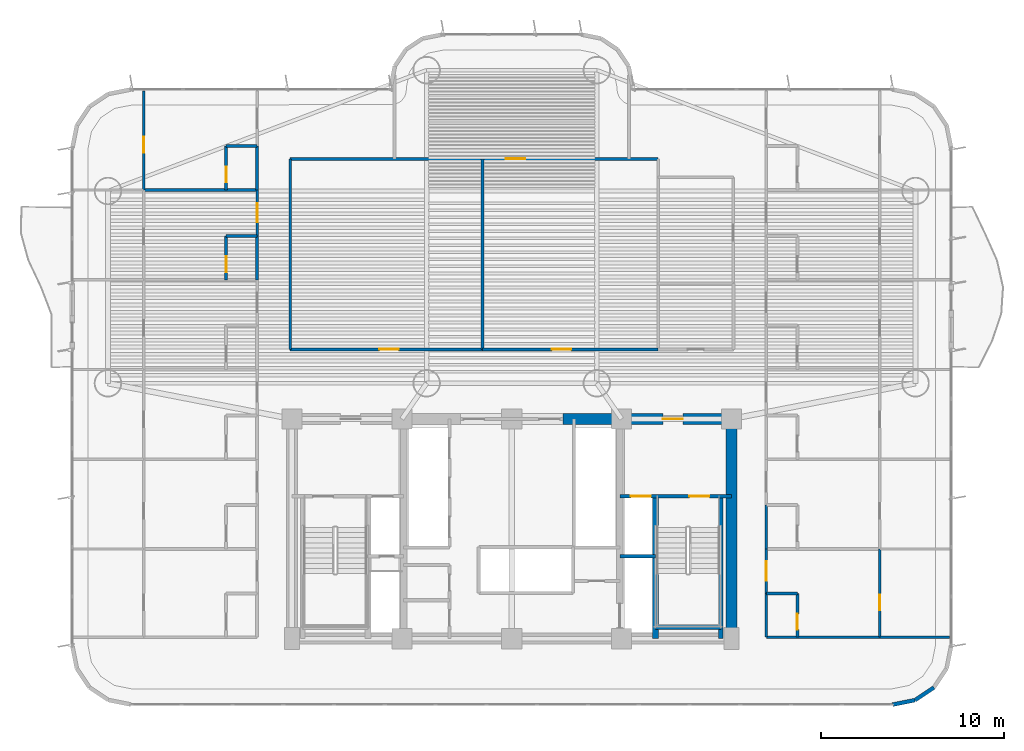
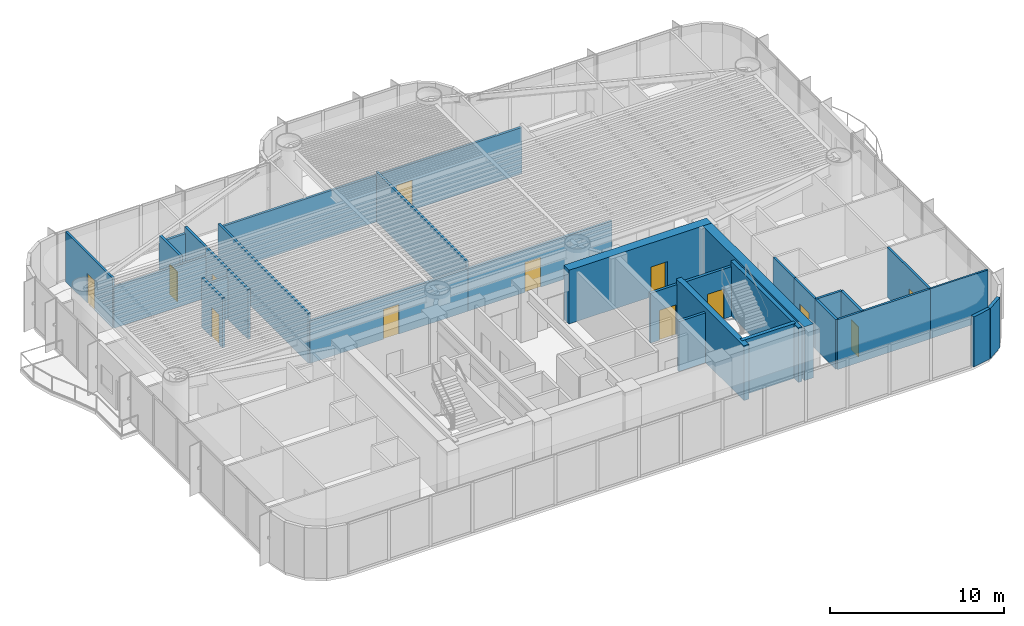
# One storey, part 12 of 19: 31 walls, 13 doors, 13 openings.
"""IFC4 building model written with IfcOpenShell, lengths in metres."""

from ifc_helpers import new_model, si_unit, direction, frame, frame_2d, origin, origin_2d, place, context, subcontext, project, spatial, rectangle, extrude, source, transform, mapped, material, layer, layer_set, type_object, element, fill, save


model = new_model("IFC4")

# Units and contexts
model_context = context("Model", 3, precision=1e-05, world=origin(), true_north=direction((0.0, 1.0)))
body_context = subcontext(model_context, "Body", "Model", "MODEL_VIEW")
ifc_project = project(units=[si_unit("LENGTHUNIT", "METRE"), si_unit("AREAUNIT", "SQUARE_METRE"), si_unit("VOLUMEUNIT", "CUBIC_METRE"), si_unit("PLANEANGLEUNIT", "RADIAN"), si_unit("MASSUNIT", "GRAM", prefix="KILO")], contexts=[model_context])

# Site, building, storey
site_placement = place(None, origin())
site = spatial("IfcSite", under=ifc_project, at=site_placement, CompositionType="ELEMENT")
building_placement = place(site_placement, origin())
building = spatial("IfcBuilding", under=site, at=building_placement, Name="Brelvock Crest Care Tower", CompositionType="ELEMENT")
storey_placement = place(building_placement, frame((0.0, 0.0, 64.800048828125)))
storey = spatial("IfcBuildingStorey", under=building, at=storey_placement, Name="L16", CompositionType="ELEMENT", Elevation=64.800048828125)

# Wall
ifc_material_1 = material(Name="Concrete S80 (80 MPa)", Category="concrete")
ifc_layer_1 = layer(ifc_material_1, 0.60009765625, Name="WL-CS1")
ifc_layer_set_1 = layer_set([ifc_layer_1], Name="Concrete S80 (80 MPa)")
wall_type_1 = type_object("IfcWallType", Name="WL-CS1", PredefinedType="SHEAR", material=ifc_layer_set_1)
wall_1_placement = place(storey_placement, frame((48.0, 18.0, 0.0), z_axis=(0.0, 0.0, 1.0), x_axis=(0.0, -1.0, 0.0)))
element("IfcWall", 1, at=wall_1_placement, inside=storey, type_object=wall_type_1, Name="L16 Core East Shear Wall", PredefinedType="SHEAR", context=body_context, shape_type="SweptSolid", body=[
    extrude(rectangle(XDim=12.0, YDim=0.60009765625, at=frame_2d((6.0, 0.0))), origin(), (0.0, 0.0, 1.0), 3.780029296875),
])

# Wall, opening, door
wall_2_placement = place(storey_placement, frame((38.800048828125, 18.0, 0.0), z_axis=(0.0, 0.0, 1.0), x_axis=(1.0, 0.0, 0.0)))
wall_2 = element("IfcWall", 2, at=wall_2_placement, inside=storey, type_object=wall_type_1, Name="L16 Core North-East Shear Wall", PredefinedType="SHEAR", context=body_context, shape_type="SweptSolid", body=[
    extrude(rectangle(XDim=9.5, YDim=0.60009765625, at=frame_2d((4.75, 0.0))), origin(), (0.0, 0.0, 1.0), 3.780029296875),
])
opening_1_placement = place(wall_2_placement, frame((5.449951171875, 0.0, 0.0)))
opening_1 = element("IfcOpeningElement", 3, at=opening_1_placement, cuts=wall_2, Name="Opening FD-1", PredefinedType="OPENING", context=body_context, shape_type="SweptSolid", body=[
    extrude(rectangle(XDim=1.10009765625, YDim=2.10009765625, at=origin_2d()), frame((0.550048828125, 0.31005859375, 1.050048828125), z_axis=(0.0, -1.0, 0.0), x_axis=(1.0, 0.0, 0.0)), (0.0, 0.0, 1.0), 0.6201171875),
])
ifc_material_2 = material(Name="Steel Grade 350", Category="steel")
door_type_1 = type_object("IfcDoorType", Name="DR-FFL1", OperationType="NOTDEFINED", PredefinedType="DOOR", material=ifc_material_2)
shared_shape_1 = source(origin(), body_context, "Body", "SweptSolid", [
    extrude(rectangle(XDim=1.10009765625, YDim=2.10009765625, at=origin_2d()), frame((0.550048828125, 0.02490234375, 1.050048828125), z_axis=(0.0, -1.0, 0.0), x_axis=(1.0, 0.0, 0.0)), (0.0, 0.0, 1.0), 0.050048828125),
])
door_1_placement = place(opening_1_placement, origin())
door_1 = element("IfcDoor", 4, at=door_1_placement, inside=storey, type_object=door_type_1, Name="L16 Firefighting Lobby FFL-2 Exit Door", OperationType="SINGLE_SWING_RIGHT", OverallHeight=2.10009765625, OverallWidth=1.10009765625, PredefinedType="DOOR", context=body_context, shape_type="MappedRepresentation", body=[
    mapped(shared_shape_1, transform((0.0, 0.0, 0.0), x_axis=(1.0, 0.0, 0.0), y_axis=(0.0, 1.0, 0.0), z_axis=(0.0, 0.0, 1.0), scale=1.0)),
])
fill(opening_1, door_1)

# Walls
ifc_layer_2 = layer(ifc_material_1, 0.35009765625, Name="WL-CS5")
ifc_layer_set_2 = layer_set([ifc_layer_2], Name="Concrete S80 (80 MPa)")
wall_type_2 = type_object("IfcWallType", Name="WL-CS5", PredefinedType="SHEAR", material=ifc_layer_set_2)
wall_3_placement = place(storey_placement, frame((43.85009765625, 6.0, 0.0), z_axis=(0.0, 0.0, 1.0), x_axis=(0.0, 1.0, 0.0)))
element("IfcWall", 5, at=wall_3_placement, inside=storey, type_object=wall_type_2, Name="L16 Core Stair ST-2 West Shear Wall", PredefinedType="SHEAR", context=body_context, shape_type="SweptSolid", body=[
    extrude(rectangle(XDim=7.780029296875, YDim=0.35009765625, at=frame_2d((3.89013671875, 0.0))), origin(), (0.0, 0.0, 1.0), 3.849853515625),
])
ifc_layer_3 = layer(ifc_material_1, 0.25, Name="WL-CS6")
ifc_layer_set_3 = layer_set([ifc_layer_3], Name="Concrete S80 (80 MPa)")
wall_type_3 = type_object("IfcWallType", Name="WL-CS6", PredefinedType="SHEAR", material=ifc_layer_set_3)
wall_4_placement = place(storey_placement, frame((47.419921875, 6.0, 0.0), z_axis=(0.0, 0.0, 1.0), x_axis=(0.0, 1.0, 0.0)))
element("IfcWall", 6, at=wall_4_placement, inside=storey, type_object=wall_type_3, Name="L16 Core Stair ST-2 East Shear Wall", PredefinedType="SHEAR", context=body_context, shape_type="SweptSolid", body=[
    extrude(rectangle(XDim=7.780029296875, YDim=0.25, at=frame_2d((3.89013671875, 0.0))), origin(), (0.0, 0.0, 1.0), 3.849853515625),
])
wall_5_placement = place(storey_placement, frame((43.85009765625, 6.6201171875, 0.0), z_axis=(0.0, 0.0, 1.0), x_axis=(1.0, 0.0, 0.0)))
element("IfcWall", 7, at=wall_5_placement, inside=storey, type_object=wall_type_3, Name="L16 Core Stair ST-2 South Shear Wall", PredefinedType="SHEAR", context=body_context, shape_type="SweptSolid", body=[
    extrude(rectangle(XDim=3.56982421875, YDim=0.25, at=frame_2d((1.784912109375, 0.0))), origin(), (0.0, 0.0, 1.0), 3.849853515625),
])
ifc_material_3 = material(Name="Precast concrete N40 (40 MPa)", Category="concrete")
ifc_layer_4 = layer(ifc_material_3, 0.215087890625, Name="WL-EX2")
ifc_layer_set_4 = layer_set([ifc_layer_4], Name="Precast concrete N40 (40 MPa)")
wall_type_4 = type_object("IfcWallType", Name="WL-EX2", PredefinedType="SOLIDWALL", material=ifc_layer_set_4)
for number, where, z_axis, x_axis, name in (
    (8, (59.062744140625, 3.33740234375, 0.0), (0.0, 0.0, 1.0), (-0.831387912822, -0.555692485475, 0.0), "L16 Rounded Corner Wall 06"),
    (9, (58.024658203125, 2.6435546875, 0.0), (0.0, 0.0, 1.0), (-0.980775717779, -0.195138390419, 0.0), "L16 Rounded Corner Wall 07"),
):
    element("IfcWall", number, at=place(storey_placement, frame(where, z_axis=z_axis, x_axis=x_axis)), inside=storey, type_object=wall_type_4, Name=name, PredefinedType="SOLIDWALL", context=body_context, shape_type="SweptSolid", body=[
        extrude(rectangle(XDim=1.24853515625, YDim=0.215087890625, at=frame_2d((0.624267578125, 0.0))), origin(), (0.0, 0.0, 1.0), 3.530029296875),
    ])
ifc_material_4 = material(Name="Masonry Blockwork Acoustic Partition", Category="masonry")
ifc_layer_5 = layer(ifc_material_4, 0.14990234375, Name="WL-INT1")
ifc_layer_set_5 = layer_set([ifc_layer_5], Name="Masonry Blockwork Acoustic Partition")
wall_type_5 = type_object("IfcWallType", Name="WL-INT1", PredefinedType="PARTITIONING", material=ifc_layer_set_5)
wall_6_placement = place(storey_placement, frame((49.89990234375, 6.080078125, 0.0), z_axis=(0.0, 0.0, 1.0), x_axis=(1.0, 0.0, 0.0)))
element("IfcWall", 10, at=wall_6_placement, inside=storey, type_object=wall_type_5, Name="L16 Interior Wall WL-BX-L16-CS-EC1-S", PredefinedType="PARTITIONING", context=body_context, shape_type="SweptSolid", body=[
    extrude(rectangle(XDim=6.2001953125, YDim=0.14990234375, at=frame_2d((3.10009765625, 0.0))), origin(), (0.0, 0.0, 1.0), 3.5),
])

# Wall, opening, door
wall_7_placement = place(storey_placement, frame((23.89990234375, 21.800048828125, 0.0), z_axis=(0.0, 0.0, 1.0), x_axis=(1.0, 0.0, 0.0)))
wall_7 = element("IfcWall", 11, at=wall_7_placement, inside=storey, type_object=wall_type_5, Name="L16 Interior Wall WL-RM-L16-CNW", PredefinedType="PARTITIONING", context=body_context, shape_type="SweptSolid", body=[
    extrude(rectangle(XDim=10.5, YDim=0.14990234375, at=frame_2d((5.25, 0.0))), origin(), (0.0, 0.0, 1.0), 2.98193359375),
])
opening_2_placement = place(wall_7_placement, frame((4.875, 0.0, 0.0)))
opening_2 = element("IfcOpeningElement", 12, at=opening_2_placement, cuts=wall_7, Name="Opening CLD-1", PredefinedType="OPENING", context=body_context, shape_type="SweptSolid", body=[
    extrude(rectangle(XDim=1.050048828125, YDim=2.10009765625, at=origin_2d()), frame((0.52490234375, 0.0849609375, 1.050048828125), z_axis=(0.0, -1.0, 0.0), x_axis=(1.0, 0.0, 0.0)), (0.0, 0.0, 1.0), 0.169921875),
])
ifc_material_5 = material(Name="Engineered Hardwood Timber", Category="wood")
door_type_2 = type_object("IfcDoorType", Name="DR-CLN1", OperationType="NOTDEFINED", PredefinedType="DOOR", material=ifc_material_5)
shared_shape_2 = source(origin(), body_context, "Body", "SweptSolid", [
    extrude(rectangle(XDim=1.050048828125, YDim=2.10009765625, at=origin_2d()), frame((0.52490234375, 0.02490234375, 1.050048828125), z_axis=(0.0, -1.0, 0.0), x_axis=(1.0, 0.0, 0.0)), (0.0, 0.0, 1.0), 0.050048828125),
])
door_2_placement = place(opening_2_placement, origin())
door_2 = element("IfcDoor", 13, at=door_2_placement, inside=storey, type_object=door_type_2, Name="L16 Communal Dining Conservatory Door CNW", OperationType="SINGLE_SWING_LEFT", OverallHeight=2.10009765625, OverallWidth=1.050048828125, PredefinedType="DOOR", context=body_context, shape_type="MappedRepresentation", body=[
    mapped(shared_shape_2, transform((0.0, 0.0, 0.0), x_axis=(1.0, 0.0, 0.0), y_axis=(0.0, 1.0, 0.0), z_axis=(0.0, 0.0, 1.0), scale=1.0)),
])
fill(opening_2, door_2)

wall_8_placement = place(storey_placement, frame((34.39990234375, 21.800048828125, 0.0), z_axis=(0.0, 0.0, 1.0), x_axis=(1.0, 0.0, 0.0)))
wall_8 = element("IfcWall", 14, at=wall_8_placement, inside=storey, type_object=wall_type_5, Name="L16 Interior Wall WL-RM-L16-CNE", PredefinedType="PARTITIONING", context=body_context, shape_type="SweptSolid", body=[
    extrude(rectangle(XDim=9.60009765625, YDim=0.14990234375, at=frame_2d((4.800048828125, 0.0))), origin(), (0.0, 0.0, 1.0), 2.98193359375),
])
opening_3_placement = place(wall_8_placement, frame((3.794921875, 0.0, 0.0)))
opening_3 = element("IfcOpeningElement", 15, at=opening_3_placement, cuts=wall_8, Name="Opening CLD-1", PredefinedType="OPENING", context=body_context, shape_type="SweptSolid", body=[
    extrude(rectangle(XDim=1.050048828125, YDim=2.10009765625, at=origin_2d()), frame((0.52490234375, 0.0849609375, 1.050048828125), z_axis=(0.0, -1.0, 0.0), x_axis=(1.0, 0.0, 0.0)), (0.0, 0.0, 1.0), 0.169921875),
])
door_3_placement = place(opening_3_placement, origin())
door_3 = element("IfcDoor", 16, at=door_3_placement, inside=storey, type_object=door_type_2, Name="L16 Geriatric Nurse Consultation Hub Door CNE", OperationType="SINGLE_SWING_LEFT", OverallHeight=2.10009765625, OverallWidth=1.050048828125, PredefinedType="DOOR", context=body_context, shape_type="MappedRepresentation", body=[
    mapped(shared_shape_2, transform((0.0, 0.0, 0.0), x_axis=(1.0, 0.0, 0.0), y_axis=(0.0, 1.0, 0.0), z_axis=(0.0, 0.0, 1.0), scale=1.0)),
])
fill(opening_3, door_3)

# Wall
wall_9_placement = place(storey_placement, frame((15.89990234375, 30.5, 0.0), z_axis=(0.0, 0.0, 1.0), x_axis=(1.0, 0.0, 0.0)))
element("IfcWall", 17, at=wall_9_placement, inside=storey, type_object=wall_type_5, Name="L16 Interior Wall WL-BX-L16-CS-WC5-N", PredefinedType="PARTITIONING", context=body_context, shape_type="SweptSolid", body=[
    extrude(rectangle(XDim=6.2001953125, YDim=0.14990234375, at=frame_2d((3.10009765625, 0.0))), origin(), (0.0, 0.0, 1.0), 2.90283203125),
])

# Wall, opening, door
wall_10_placement = place(storey_placement, frame((23.89990234375, 32.199951171875, 0.0), z_axis=(0.0, 0.0, 1.0), x_axis=(1.0, 0.0, 0.0)))
wall_10 = element("IfcWall", 18, at=wall_10_placement, inside=storey, type_object=wall_type_5, Name="L16 Interior Wall WL-RM-L16-NHUB", PredefinedType="PARTITIONING", context=body_context, shape_type="SweptSolid", body=[
    extrude(rectangle(XDim=20.10009765625, YDim=0.14990234375, at=frame_2d((10.050048828125, 0.0))), origin(), (0.0, 0.0, 1.0), 3.259033203125),
])
opening_4_placement = place(wall_10_placement, frame((11.77490234375, 0.0, 0.0)))
opening_4 = element("IfcOpeningElement", 19, at=opening_4_placement, cuts=wall_10, Name="Opening CLD-1", PredefinedType="OPENING", context=body_context, shape_type="SweptSolid", body=[
    extrude(rectangle(XDim=1.050048828125, YDim=2.10009765625, at=origin_2d()), frame((0.52490234375, 0.0849609375, 1.050048828125), z_axis=(0.0, -1.0, 0.0), x_axis=(1.0, 0.0, 0.0)), (0.0, 0.0, 1.0), 0.169921875),
])
door_4_placement = place(opening_4_placement, origin())
door_4 = element("IfcDoor", 20, at=door_4_placement, inside=storey, type_object=door_type_2, Name="L16 Harbour Wintergarden Lounge Door NHUB", OperationType="SINGLE_SWING_LEFT", OverallHeight=2.10009765625, OverallWidth=1.050048828125, PredefinedType="DOOR", context=body_context, shape_type="MappedRepresentation", body=[
    mapped(shared_shape_2, transform((0.0, 0.0, 0.0), x_axis=(1.0, 0.0, 0.0), y_axis=(0.0, 1.0, 0.0), z_axis=(0.0, 0.0, 1.0), scale=1.0)),
])
fill(opening_4, door_4)

wall_11_placement = place(storey_placement, frame((15.89990234375, 30.5, 0.0), z_axis=(0.0, 0.0, 1.0), x_axis=(0.0, 1.0, 0.0)))
wall_11 = element("IfcWall", 21, at=wall_11_placement, inside=storey, type_object=wall_type_5, Name="L16 Interior Wall WL-RM-L16-WC6S", PredefinedType="PARTITIONING", context=body_context, shape_type="SweptSolid", body=[
    extrude(rectangle(XDim=5.420166015625, YDim=0.14990234375, at=frame_2d((2.7099609375, 0.0))), origin(), (0.0, 0.0, 1.0), 3.5),
])
opening_5_placement = place(wall_11_placement, frame((2.0400390625, 0.0, 0.0)))
opening_5 = element("IfcOpeningElement", 22, at=opening_5_placement, cuts=wall_11, Name="Opening ID-1", PredefinedType="OPENING", context=body_context, shape_type="SweptSolid", body=[
    extrude(rectangle(XDim=0.860107421875, YDim=2.10009765625, at=origin_2d()), frame((0.43017578125, 0.0849609375, 1.050048828125), z_axis=(0.0, -1.0, 0.0), x_axis=(1.0, 0.0, 0.0)), (0.0, 0.0, 1.0), 0.169921875),
])
door_type_3 = type_object("IfcDoorType", Name="DR-INT1", OperationType="NOTDEFINED", PredefinedType="DOOR", material=ifc_material_5)
shared_shape_3 = source(origin(), body_context, "Body", "SweptSolid", [
    extrude(rectangle(XDim=0.860107421875, YDim=2.10009765625, at=origin_2d()), frame((0.43017578125, 0.02490234375, 1.050048828125), z_axis=(0.0, -1.0, 0.0), x_axis=(1.0, 0.0, 0.0)), (0.0, 0.0, 1.0), 0.050048828125),
])
door_5_placement = place(opening_5_placement, origin())
door_5 = element("IfcDoor", 23, at=door_5_placement, inside=storey, type_object=door_type_3, Name="L16 Skilled Nursing Mobility Store Door WC6S", OperationType="SINGLE_SWING_LEFT", OverallHeight=2.10009765625, OverallWidth=0.860107421875, PredefinedType="DOOR", context=body_context, shape_type="MappedRepresentation", body=[
    mapped(shared_shape_3, transform((0.0, 0.0, 0.0), x_axis=(1.0, 0.0, 0.0), y_axis=(0.0, 1.0, 0.0), z_axis=(0.0, 0.0, 1.0), scale=1.0)),
])
fill(opening_5, door_5)

wall_12_placement = place(storey_placement, frame((22.10009765625, 28.0, 0.0), z_axis=(0.0, 0.0, 1.0), x_axis=(0.0, 1.0, 0.0)))
wall_12 = element("IfcWall", 24, at=wall_12_placement, inside=storey, type_object=wall_type_5, Name="L16 Interior Wall WL-CENT-L16-WC5", PredefinedType="PARTITIONING", context=body_context, shape_type="SweptSolid", body=[
    extrude(rectangle(XDim=2.5, YDim=0.14990234375, at=frame_2d((1.25, 0.0))), origin(), (0.0, 0.0, 1.0), 3.5),
])
opening_6_placement = place(wall_12_placement, frame((0.72998046875, 0.0, 0.0)))
opening_6 = element("IfcOpeningElement", 25, at=opening_6_placement, cuts=wall_12, Name="Opening CD-1", PredefinedType="OPENING", context=body_context, shape_type="SweptSolid", body=[
    extrude(rectangle(XDim=1.050048828125, YDim=2.10009765625, at=origin_2d()), frame((0.52490234375, 0.0849609375, 1.050048828125), z_axis=(0.0, -1.0, 0.0), x_axis=(1.0, 0.0, 0.0)), (0.0, 0.0, 1.0), 0.169921875),
])
door_type_4 = type_object("IfcDoorType", Name="DR-CARE1", OperationType="NOTDEFINED", PredefinedType="DOOR", material=ifc_material_5)
shared_shape_4 = source(origin(), body_context, "Body", "SweptSolid", [
    extrude(rectangle(XDim=1.050048828125, YDim=2.10009765625, at=origin_2d()), frame((0.52490234375, 0.02490234375, 1.050048828125), z_axis=(0.0, -1.0, 0.0), x_axis=(1.0, 0.0, 0.0)), (0.0, 0.0, 1.0), 0.050048828125),
])
door_6_placement = place(opening_6_placement, origin())
door_6 = element("IfcDoor", 26, at=door_6_placement, inside=storey, type_object=door_type_4, Name="L16 Care Suite Door WC5", OperationType="SINGLE_SWING_LEFT", OverallHeight=2.10009765625, OverallWidth=1.050048828125, PredefinedType="DOOR", context=body_context, shape_type="MappedRepresentation", body=[
    mapped(shared_shape_4, transform((0.0, 0.0, 0.0), x_axis=(1.0, 0.0, 0.0), y_axis=(0.0, 1.0, 0.0), z_axis=(0.0, 0.0, 1.0), scale=1.0)),
])
fill(opening_6, door_6)

# Walls
for number, where, z_axis, x_axis, name in (
    (27, (23.89990234375, 21.800048828125, 0.0), (0.0, 0.0, 1.0), (0.0, 1.0, 0.0), "L16 Interior Wall WL-BX-L16-CNW-W"),
    (28, (34.39990234375, 21.800048828125, 0.0), (0.0, 0.0, 1.0), (0.0, 1.0, 0.0), "L16 Interior Wall WL-BX-L16-CNE-W"),
):
    element("IfcWall", number, at=place(storey_placement, frame(where, z_axis=z_axis, x_axis=x_axis)), inside=storey, type_object=wall_type_5, Name=name, PredefinedType="PARTITIONING", context=body_context, shape_type="SweptSolid", body=[
        extrude(rectangle(XDim=10.39990234375, YDim=0.14990234375, at=frame_2d((5.199951171875, 0.0))), origin(), (0.0, 0.0, 1.0), 3.5),
    ])

# Wall, opening, door
wall_13_placement = place(storey_placement, frame((49.89990234375, 8.47998046875, 0.0), z_axis=(0.0, 0.0, 1.0), x_axis=(0.0, 1.0, 0.0)))
wall_13 = element("IfcWall", 29, at=wall_13_placement, inside=storey, type_object=wall_type_5, Name="L16 Interior Wall WL-CENT-L16-EC1", PredefinedType="PARTITIONING", context=body_context, shape_type="SweptSolid", body=[
    extrude(rectangle(XDim=2.419921875, YDim=0.14990234375, at=frame_2d((1.2099609375, 0.0))), origin(), (0.0, 0.0, 1.0), 3.5),
])
opening_7_placement = place(wall_13_placement, frame((0.68994140625, 0.0, 0.0)))
opening_7 = element("IfcOpeningElement", 30, at=opening_7_placement, cuts=wall_13, Name="Opening CD-1", PredefinedType="OPENING", context=body_context, shape_type="SweptSolid", body=[
    extrude(rectangle(XDim=1.050048828125, YDim=2.10009765625, at=origin_2d()), frame((0.52490234375, 0.0849609375, 1.050048828125), z_axis=(0.0, -1.0, 0.0), x_axis=(1.0, 0.0, 0.0)), (0.0, 0.0, 1.0), 0.169921875),
])
door_7_placement = place(opening_7_placement, origin())
door_7 = element("IfcDoor", 31, at=door_7_placement, inside=storey, type_object=door_type_4, Name="L16 Care Suite Door EC1", OperationType="SINGLE_SWING_LEFT", OverallHeight=2.10009765625, OverallWidth=1.050048828125, PredefinedType="DOOR", context=body_context, shape_type="MappedRepresentation", body=[
    mapped(shared_shape_4, transform((0.0, 0.0, 0.0), x_axis=(1.0, 0.0, 0.0), y_axis=(0.0, 1.0, 0.0), z_axis=(0.0, 0.0, 1.0), scale=1.0)),
])
fill(opening_7, door_7)

wall_14_placement = place(storey_placement, frame((56.10009765625, 6.080078125, 0.0), z_axis=(0.0, 0.0, 1.0), x_axis=(0.0, 1.0, 0.0)))
wall_14 = element("IfcWall", 32, at=wall_14_placement, inside=storey, type_object=wall_type_5, Name="L16 Interior Wall WL-RM-L16-EC1S", PredefinedType="PARTITIONING", context=body_context, shape_type="SweptSolid", body=[
    extrude(rectangle(XDim=4.81982421875, YDim=0.14990234375, at=frame_2d((2.409912109375, 0.0))), origin(), (0.0, 0.0, 1.0), 3.5),
])
opening_8_placement = place(wall_14_placement, frame((1.4599609375, 0.0, 0.0)))
opening_8 = element("IfcOpeningElement", 33, at=opening_8_placement, cuts=wall_14, Name="Opening ID-1", PredefinedType="OPENING", context=body_context, shape_type="SweptSolid", body=[
    extrude(rectangle(XDim=0.860107421875, YDim=2.10009765625, at=origin_2d()), frame((0.43017578125, 0.0849609375, 1.050048828125), z_axis=(0.0, -1.0, 0.0), x_axis=(1.0, 0.0, 0.0)), (0.0, 0.0, 1.0), 0.169921875),
])
door_8_placement = place(opening_8_placement, origin())
door_8 = element("IfcDoor", 34, at=door_8_placement, inside=storey, type_object=door_type_3, Name="L16 Skilled Nursing Mobility Store Door EC1S", OperationType="SINGLE_SWING_LEFT", OverallHeight=2.10009765625, OverallWidth=0.860107421875, PredefinedType="DOOR", context=body_context, shape_type="MappedRepresentation", body=[
    mapped(shared_shape_3, transform((0.0, 0.0, 0.0), x_axis=(1.0, 0.0, 0.0), y_axis=(0.0, 1.0, 0.0), z_axis=(0.0, 0.0, 1.0), scale=1.0)),
])
fill(opening_8, door_8)

# Walls
ifc_material_6 = material(Name="Gypsum Plasterboard Partition", Category="gypsum")
ifc_layer_6 = layer(ifc_material_6, 0.1201171875, Name="WL-INT2")
ifc_layer_set_6 = layer_set([ifc_layer_6], Name="Gypsum Plasterboard Partition")
wall_type_6 = type_object("IfcWallType", Name="WL-INT2", PredefinedType="PARTITIONING", material=ifc_layer_set_6)
wall_15_placement = place(storey_placement, frame((56.10009765625, 6.080078125, 0.0), z_axis=(0.0, 0.0, 1.0), x_axis=(1.0, 0.0, 0.0)))
element("IfcWall", 35, at=wall_15_placement, inside=storey, type_object=wall_type_6, Name="L16 Interior Wall WL-BX-L16-EC1S-S", PredefinedType="PARTITIONING", context=body_context, shape_type="SweptSolid", body=[
    extrude(rectangle(XDim=3.81982421875, YDim=0.1201171875, at=frame_2d((1.909912109375, 0.0))), origin(), (0.0, 0.0, 1.0), 3.5),
])
ifc_layer_7 = layer(ifc_material_6, 0.159912109375, Name="WL-PLM1")
ifc_layer_set_7 = layer_set([ifc_layer_7], Name="Gypsum Plasterboard Partition")
wall_type_7 = type_object("IfcWallType", Name="WL-PLM1", PredefinedType="PLUMBINGWALL", material=ifc_layer_set_7)
wall_16_placement = place(storey_placement, frame((49.89990234375, 8.47998046875, 0.0), z_axis=(0.0, 0.0, 1.0), x_axis=(1.0, 0.0, 0.0)))
element("IfcWall", 36, at=wall_16_placement, inside=storey, type_object=wall_type_7, Name="L16 Interior Wall WL-CENS2-L16-EC1", PredefinedType="PLUMBINGWALL", context=body_context, shape_type="SweptSolid", body=[
    extrude(rectangle(XDim=1.7001953125, YDim=0.159912109375, at=frame_2d((0.85009765625, 0.0))), origin(), (0.0, 0.0, 1.0), 3.5),
])
wall_17_placement = place(storey_placement, frame((20.39990234375, 28.0, 0.0), z_axis=(0.0, 0.0, 1.0), x_axis=(1.0, 0.0, 0.0)))
element("IfcWall", 37, at=wall_17_placement, inside=storey, type_object=wall_type_7, Name="L16 Interior Wall WL-CENS2-L16-WC5", PredefinedType="PLUMBINGWALL", context=body_context, shape_type="SweptSolid", body=[
    extrude(rectangle(XDim=1.7001953125, YDim=0.159912109375, at=frame_2d((0.85009765625, 0.0))), origin(), (0.0, 0.0, 1.0), 2.98193359375),
])
wall_18_placement = place(storey_placement, frame((20.39990234375, 32.89990234375, 0.0), z_axis=(0.0, 0.0, 1.0), x_axis=(1.0, 0.0, 0.0)))
element("IfcWall", 38, at=wall_18_placement, inside=storey, type_object=wall_type_7, Name="L16 Interior Wall WL-CENS2-L16-WC6", PredefinedType="PLUMBINGWALL", context=body_context, shape_type="SweptSolid", body=[
    extrude(rectangle(XDim=1.7001953125, YDim=0.159912109375, at=frame_2d((0.85009765625, 0.0))), origin(), (0.0, 0.0, 1.0), 3.054931640625),
])

# Wall, opening, door
wall_19_placement = place(storey_placement, frame((20.39990234375, 25.60009765625, 0.0), z_axis=(0.0, 0.0, 1.0), x_axis=(0.0, 1.0, 0.0)))
wall_19 = element("IfcWall", 39, at=wall_19_placement, inside=storey, type_object=wall_type_7, Name="L16 Interior Wall WL-CENS1-L16-WC5", PredefinedType="PLUMBINGWALL", context=body_context, shape_type="SweptSolid", body=[
    extrude(rectangle(XDim=2.39990234375, YDim=0.159912109375, at=frame_2d((1.199951171875, 0.0))), origin(), (0.0, 0.0, 1.0), 3.5),
])
opening_9_placement = place(wall_19_placement, frame((0.419921875, 0.0, 0.0)))
opening_9 = element("IfcOpeningElement", 40, at=opening_9_placement, cuts=wall_19, Name="Opening WD-1", PredefinedType="OPENING", context=body_context, shape_type="SweptSolid", body=[
    extrude(rectangle(XDim=0.860107421875, YDim=2.10009765625, at=origin_2d()), frame((0.43017578125, 0.08984375, 1.050048828125), z_axis=(0.0, -1.0, 0.0), x_axis=(1.0, 0.0, 0.0)), (0.0, 0.0, 1.0), 0.179931640625),
])
door_type_5 = type_object("IfcDoorType", Name="DR-WC1", OperationType="NOTDEFINED", PredefinedType="DOOR", material=ifc_material_5)
shared_shape_5 = source(origin(), body_context, "Body", "SweptSolid", [
    extrude(rectangle(XDim=0.860107421875, YDim=2.10009765625, at=origin_2d()), frame((0.43017578125, 0.02490234375, 1.050048828125), z_axis=(0.0, -1.0, 0.0), x_axis=(1.0, 0.0, 0.0)), (0.0, 0.0, 1.0), 0.050048828125),
])
door_9_placement = place(opening_9_placement, origin())
door_9 = element("IfcDoor", 41, at=door_9_placement, inside=storey, type_object=door_type_5, Name="L16 Care En-Suite Door WC5", OperationType="SINGLE_SWING_LEFT", OverallHeight=2.10009765625, OverallWidth=0.860107421875, PredefinedType="DOOR", context=body_context, shape_type="MappedRepresentation", body=[
    mapped(shared_shape_5, transform((0.0, 0.0, 0.0), x_axis=(1.0, 0.0, 0.0), y_axis=(0.0, 1.0, 0.0), z_axis=(0.0, 0.0, 1.0), scale=1.0)),
])
fill(opening_9, door_9)

wall_20_placement = place(storey_placement, frame((20.39990234375, 30.5, 0.0), z_axis=(0.0, 0.0, 1.0), x_axis=(0.0, 1.0, 0.0)))
wall_20 = element("IfcWall", 42, at=wall_20_placement, inside=storey, type_object=wall_type_7, Name="L16 Interior Wall WL-CENS1-L16-WC6", PredefinedType="PLUMBINGWALL", context=body_context, shape_type="SweptSolid", body=[
    extrude(rectangle(XDim=2.39990234375, YDim=0.159912109375, at=frame_2d((1.199951171875, 0.0))), origin(), (0.0, 0.0, 1.0), 3.5),
])
opening_10_placement = place(wall_20_placement, frame((0.419921875, 0.0, 0.0)))
opening_10 = element("IfcOpeningElement", 43, at=opening_10_placement, cuts=wall_20, Name="Opening WD-1", PredefinedType="OPENING", context=body_context, shape_type="SweptSolid", body=[
    extrude(rectangle(XDim=0.860107421875, YDim=2.10009765625, at=origin_2d()), frame((0.43017578125, 0.08984375, 1.050048828125), z_axis=(0.0, -1.0, 0.0), x_axis=(1.0, 0.0, 0.0)), (0.0, 0.0, 1.0), 0.179931640625),
])
door_10_placement = place(opening_10_placement, origin())
door_10 = element("IfcDoor", 44, at=door_10_placement, inside=storey, type_object=door_type_5, Name="L16 Care En-Suite Door WC6", OperationType="SINGLE_SWING_LEFT", OverallHeight=2.10009765625, OverallWidth=0.860107421875, PredefinedType="DOOR", context=body_context, shape_type="MappedRepresentation", body=[
    mapped(shared_shape_5, transform((0.0, 0.0, 0.0), x_axis=(1.0, 0.0, 0.0), y_axis=(0.0, 1.0, 0.0), z_axis=(0.0, 0.0, 1.0), scale=1.0)),
])
fill(opening_10, door_10)

# Walls
for number, where, z_axis, x_axis, name in (
    (45, (22.10009765625, 25.60009765625, 0.0), (0.0, 0.0, 1.0), (0.0, 1.0, 0.0), "L16 Interior Wall WL-CENS0-L16-WC5"),
    (46, (22.10009765625, 30.5, 0.0), (0.0, 0.0, 1.0), (0.0, 1.0, 0.0), "L16 Interior Wall WL-CENS0-L16-WC6"),
    (47, (49.89990234375, 6.080078125, 0.0), (0.0, 0.0, 1.0), (0.0, 1.0, 0.0), "L16 Interior Wall WL-CENS0-L16-EC1"),
):
    element("IfcWall", number, at=place(storey_placement, frame(where, z_axis=z_axis, x_axis=x_axis)), inside=storey, type_object=wall_type_7, Name=name, PredefinedType="PLUMBINGWALL", context=body_context, shape_type="SweptSolid", body=[
        extrude(rectangle(XDim=2.39990234375, YDim=0.159912109375, at=frame_2d((1.199951171875, 0.0))), origin(), (0.0, 0.0, 1.0), 3.5),
    ])
wall_21_placement = place(storey_placement, frame((49.89990234375, 10.89990234375, 0.0), z_axis=(0.0, 0.0, 1.0), x_axis=(0.0, 1.0, 0.0)))
element("IfcWall", 48, at=wall_21_placement, inside=storey, type_object=wall_type_7, Name="L16 Interior Wall WL-CENS0-L16-EC2", PredefinedType="PLUMBINGWALL", context=body_context, shape_type="SweptSolid", body=[
    extrude(rectangle(XDim=2.400146484375, YDim=0.159912109375, at=frame_2d((1.2001953125, 0.0))), origin(), (0.0, 0.0, 1.0), 3.5),
])

# Wall, opening, door
wall_22_placement = place(storey_placement, frame((51.60009765625, 6.080078125, 0.0), z_axis=(0.0, 0.0, 1.0), x_axis=(0.0, 1.0, 0.0)))
wall_22 = element("IfcWall", 49, at=wall_22_placement, inside=storey, type_object=wall_type_7, Name="L16 Interior Wall WL-CENS1-L16-EC1", PredefinedType="PLUMBINGWALL", context=body_context, shape_type="SweptSolid", body=[
    extrude(rectangle(XDim=2.39990234375, YDim=0.159912109375, at=frame_2d((1.199951171875, 0.0))), origin(), (0.0, 0.0, 1.0), 3.5),
])
opening_11_placement = place(wall_22_placement, frame((0.419921875, 0.0, 0.0)))
opening_11 = element("IfcOpeningElement", 50, at=opening_11_placement, cuts=wall_22, Name="Opening WD-1", PredefinedType="OPENING", context=body_context, shape_type="SweptSolid", body=[
    extrude(rectangle(XDim=0.860107421875, YDim=2.10009765625, at=origin_2d()), frame((0.43017578125, 0.08984375, 1.050048828125), z_axis=(0.0, -1.0, 0.0), x_axis=(1.0, 0.0, 0.0)), (0.0, 0.0, 1.0), 0.179931640625),
])
door_11_placement = place(opening_11_placement, origin())
door_11 = element("IfcDoor", 51, at=door_11_placement, inside=storey, type_object=door_type_5, Name="L16 Care En-Suite Door EC1", OperationType="SINGLE_SWING_RIGHT", OverallHeight=2.10009765625, OverallWidth=0.860107421875, PredefinedType="DOOR", context=body_context, shape_type="MappedRepresentation", body=[
    mapped(shared_shape_5, transform((0.0, 0.0, 0.0), x_axis=(1.0, 0.0, 0.0), y_axis=(0.0, 1.0, 0.0), z_axis=(0.0, 0.0, 1.0), scale=1.0)),
])
fill(opening_11, door_11)

# Wall, openings, doors
ifc_layer_8 = layer(ifc_material_4, 0.179931640625, Name="WL-SHF1")
ifc_layer_set_8 = layer_set([ifc_layer_8], Name="Masonry Blockwork Acoustic Partition")
wall_type_8 = type_object("IfcWallType", Name="WL-SHF1", PredefinedType="PARTITIONING", material=ifc_layer_set_8)
wall_23_placement = place(storey_placement, frame((41.89990234375, 13.780029296875, 0.0), z_axis=(0.0, 0.0, 1.0), x_axis=(1.0, 0.0, 0.0)))
wall_23 = element("IfcWall", 52, at=wall_23_placement, inside=storey, type_object=wall_type_8, Name="L16 Interior Wall WL-ST2-N-L16", PredefinedType="PARTITIONING", context=body_context, shape_type="SweptSolid", body=[
    extrude(rectangle(XDim=6.10009765625, YDim=0.179931640625, at=frame_2d((3.050048828125, 0.0))), origin(), (0.0, 0.0, 1.0), 3.5),
])
opening_12_placement = place(wall_23_placement, frame((0.60009765625, 0.0, 0.0)))
opening_12 = element("IfcOpeningElement", 53, at=opening_12_placement, cuts=wall_23, Name="Opening LD", PredefinedType="OPENING", context=body_context, shape_type="SweptSolid", body=[
    extrude(rectangle(XDim=1.10009765625, YDim=2.10009765625, at=origin_2d()), frame((0.550048828125, 0.10009765625, 1.050048828125), z_axis=(0.0, -1.0, 0.0), x_axis=(1.0, 0.0, 0.0)), (0.0, 0.0, 1.0), 0.199951171875),
])
opening_13_placement = place(wall_23_placement, frame((3.800048828125, 0.0, 0.0)))
opening_13 = element("IfcOpeningElement", 54, at=opening_13_placement, cuts=wall_23, Name="Opening SD-1", PredefinedType="OPENING", context=body_context, shape_type="SweptSolid", body=[
    extrude(rectangle(XDim=1.10009765625, YDim=2.10009765625, at=origin_2d()), frame((0.550048828125, 0.10009765625, 1.050048828125), z_axis=(0.0, -1.0, 0.0), x_axis=(1.0, 0.0, 0.0)), (0.0, 0.0, 1.0), 0.199951171875),
])
door_type_6 = type_object("IfcDoorType", Name="DR-ST1", OperationType="NOTDEFINED", PredefinedType="DOOR", material=ifc_material_2)
shared_shape_6 = source(origin(), body_context, "Body", "SweptSolid", [
    extrude(rectangle(XDim=1.10009765625, YDim=2.10009765625, at=origin_2d()), frame((0.550048828125, 0.02490234375, 1.050048828125), z_axis=(0.0, -1.0, 0.0), x_axis=(1.0, 0.0, 0.0)), (0.0, 0.0, 1.0), 0.050048828125),
])
door_12_placement = place(opening_13_placement, origin())
door_12 = element("IfcDoor", 55, at=door_12_placement, inside=storey, type_object=door_type_6, Name="L16 Fire Stair ST-2 Door", OperationType="SINGLE_SWING_RIGHT", OverallHeight=2.10009765625, OverallWidth=1.10009765625, PredefinedType="DOOR", context=body_context, shape_type="MappedRepresentation", body=[
    mapped(shared_shape_6, transform((0.0, 0.0, 0.0), x_axis=(1.0, 0.0, 0.0), y_axis=(0.0, 1.0, 0.0), z_axis=(0.0, 0.0, 1.0), scale=1.0)),
])
fill(opening_13, door_12)
door_type_7 = type_object("IfcDoorType", Name="DR-LD1", OperationType="NOTDEFINED", PredefinedType="DOOR", material=ifc_material_2)
shared_shape_7 = source(origin(), body_context, "Body", "SweptSolid", [
    extrude(rectangle(XDim=1.10009765625, YDim=2.10009765625, at=origin_2d()), frame((0.550048828125, 0.02490234375, 1.050048828125), z_axis=(0.0, -1.0, 0.0), x_axis=(1.0, 0.0, 0.0)), (0.0, 0.0, 1.0), 0.050048828125),
])
door_13_placement = place(opening_12_placement, origin())
door_13 = element("IfcDoor", 56, at=door_13_placement, inside=storey, type_object=door_type_7, Name="L16 Firefighting Lift FFL-2 Landing Door", OperationType="SLIDING_TO_RIGHT", OverallHeight=2.10009765625, OverallWidth=1.10009765625, PredefinedType="DOOR", context=body_context, shape_type="MappedRepresentation", body=[
    mapped(shared_shape_7, transform((0.0, 0.0, 0.0), x_axis=(1.0, 0.0, 0.0), y_axis=(0.0, 1.0, 0.0), z_axis=(0.0, 0.0, 1.0), scale=1.0)),
])
fill(opening_12, door_13)

# Wall
wall_24_placement = place(storey_placement, frame((41.89990234375, 10.5, 0.0), z_axis=(0.0, 0.0, 1.0), x_axis=(1.0, 0.0, 0.0)))
element("IfcWall", 57, at=wall_24_placement, inside=storey, type_object=wall_type_8, Name="L16 Interior Wall WL-FFH2-S-L16", PredefinedType="PARTITIONING", context=body_context, shape_type="SweptSolid", body=[
    extrude(rectangle(XDim=1.9501953125, YDim=0.179931640625, at=frame_2d((0.97509765625, 0.0))), origin(), (0.0, 0.0, 1.0), 3.5),
])

save(model, "model.ifc")
